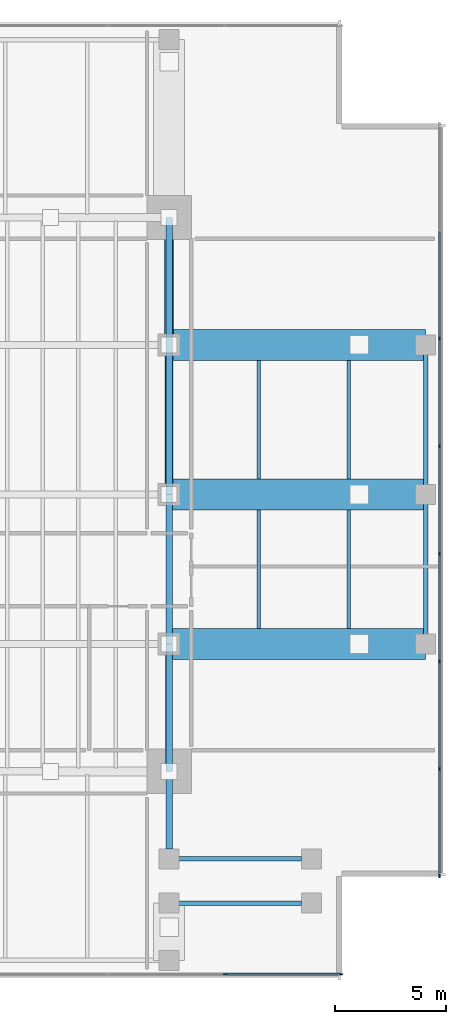
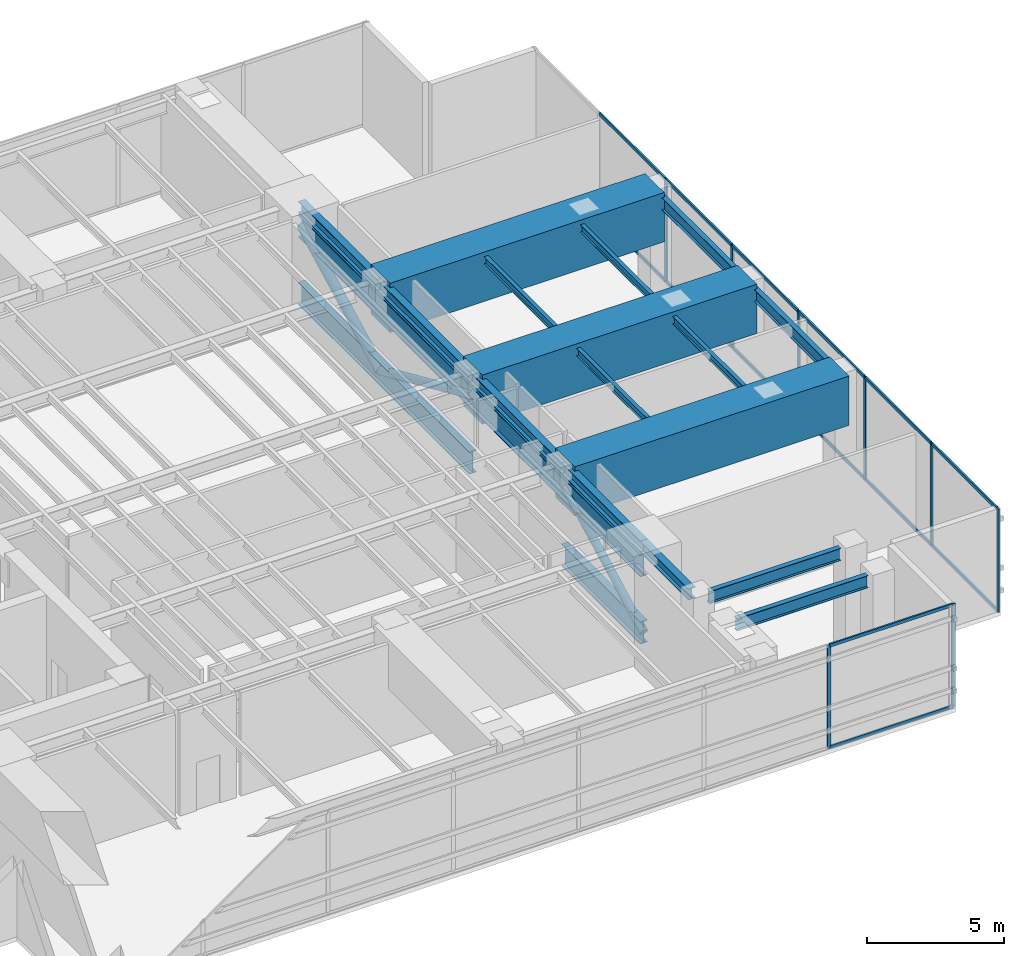
# One storey, part 4 of 14: 28 members, 16 beams, 2 elements without a shape of their own.
"""IFC4 building model written with IfcOpenShell, lengths in metres."""

from ifc_helpers import new_model, si_unit, direction, frame, origin, origin_2d, place, context, subcontext, project, spatial, rectangle, hollow_circle, i_section, extrude, material, layer, layer_set, material_profile, profile_set, type_object, element, aggregate, save


model = new_model("IFC4")

# Units and contexts
model_context = context("Model", 3, precision=1e-05, world=origin(), true_north=direction((0.0, 1.0)))
body_context = subcontext(model_context, "Body", "Model", "MODEL_VIEW")
ifc_project = project(units=[si_unit("LENGTHUNIT", "METRE"), si_unit("AREAUNIT", "SQUARE_METRE"), si_unit("VOLUMEUNIT", "CUBIC_METRE"), si_unit("PLANEANGLEUNIT", "RADIAN"), si_unit("MASSUNIT", "GRAM", prefix="KILO")], contexts=[model_context])

# Site, building, storey
site_placement = place(None, origin())
site = spatial("IfcSite", under=ifc_project, at=site_placement, CompositionType="ELEMENT")
building_placement = place(site_placement, origin())
building = spatial("IfcBuilding", under=site, at=building_placement, Name="Kinhvarn Gate Tower", CompositionType="ELEMENT")
storey_placement = place(building_placement, frame((0.0, 0.0, 173.25)))
storey = spatial("IfcBuildingStorey", under=building, at=storey_placement, Name="L46", CompositionType="ELEMENT", Elevation=173.25)

# Beams
ifc_material_1 = material(Name="Concrete C60/75", Category="concrete")
ifc_material_profile_1 = material_profile(ifc_material_1, rectangle(XDim=1.39990234375, YDim=2.199951171875, at=origin_2d()), Name="RC 1400x2200")
ifc_profile_set_1 = profile_set([ifc_material_profile_1], Name="Concrete C60/75")
beam_type_1 = type_object("IfcBeamType", Name="BM-TG-2200", PredefinedType="BEAM", material=ifc_profile_set_1)
for number, where, z_axis, x_axis, name in (
    (1, (38.199951171875, 18.5, 3.699951171875), (1.0, 0.0, 0.0), (0.0, 1.0, 0.0), "Setback Transfer Girder TG-02-L47-CE-1"),
    (2, (38.199951171875, 25.25, 3.699951171875), (1.0, 0.0, 0.0), (0.0, 1.0, 0.0), "Setback Transfer Girder TG-02-L47-CE-2"),
    (3, (38.199951171875, 32.0, 3.699951171875), (1.0, 0.0, 0.0), (0.0, 1.0, 0.0), "Setback Transfer Girder TG-02-L47-CE-3"),
):
    element("IfcBeam", number, at=place(storey_placement, frame(where, z_axis=z_axis, x_axis=x_axis)), inside=storey, type_object=beam_type_1, Name=name, PredefinedType="BEAM", context=body_context, shape_type="SweptSolid", body=[
        extrude(rectangle(XDim=1.39990234375, YDim=2.199951171875, at=origin_2d()), origin(), (0.0, 0.0, 1.0), 11.580078125),
    ])

# Curtain wall, members
ifc_material_2 = material(Name="Anodised aluminium AW-6063", Category="aluminium")
ifc_layer = layer(ifc_material_2, 0.179931640625)
ifc_layer_set = layer_set([ifc_layer], Name="Anodised aluminium AW-6063")
curtain_wall_type = type_object("IfcCurtainWallType", Name="CW-SYS-3", PredefinedType="NOTDEFINED", material=ifc_layer_set)
curtain_wall_1_placement = place(storey_placement, origin())
curtain_wall_1 = element("IfcCurtainWall", 4, at=curtain_wall_1_placement, inside=storey, type_object=curtain_wall_type, Name="Curtain Wall CW3 (L46)", PredefinedType="NOTDEFINED")
ifc_material_profile_2 = material_profile(ifc_material_2, rectangle(XDim=0.06494140625, YDim=0.159912109375, at=origin_2d()), Name="ALU 65x160")
ifc_profile_set_2 = profile_set([ifc_material_profile_2], Name="Anodised aluminium AW-6063")
member_type_1 = type_object("IfcMemberType", Name="CW-MUL-160", PredefinedType="MULLION", material=ifc_profile_set_2)
member_1_placement = place(storey_placement, frame((40.71435546875, 3.590087890625, 0.0), z_axis=(0.0, 0.0, 1.0), x_axis=(0.0, 1.0, 0.0)))
member_1 = element("IfcMember", 5, at=member_1_placement, type_object=member_type_1, Name="CW3 mullion 7", PredefinedType="MULLION", context=body_context, shape_type="SweptSolid", body=[
    extrude(rectangle(XDim=0.06494140625, YDim=0.159912109375, at=origin_2d()), origin(), (0.0, 0.0, 1.0), 4.60009765625),
])
member_2_placement = place(storey_placement, frame((45.967529296875, 3.590087890625, 0.0), z_axis=(0.0, 0.0, 1.0), x_axis=(0.0, 1.0, 0.0)))
member_2 = element("IfcMember", 6, at=member_2_placement, type_object=member_type_1, Name="CW3 mullion 8", PredefinedType="MULLION", context=body_context, shape_type="SweptSolid", body=[
    extrude(rectangle(XDim=0.06494140625, YDim=0.159912109375, at=origin_2d()), origin(), (0.0, 0.0, 1.0), 4.60009765625),
])

curtain_wall_2_placement = place(storey_placement, origin())
curtain_wall_2 = element("IfcCurtainWall", 7, at=curtain_wall_2_placement, inside=storey, type_object=curtain_wall_type, Name="Curtain Wall CW3 (L46)", PredefinedType="NOTDEFINED")
member_3_placement = place(storey_placement, frame((50.409912109375, 8.032470703125, 0.0), z_axis=(0.0, 0.0, 1.0), x_axis=(-1.0, 0.0, 0.0)))
member_3 = element("IfcMember", 8, at=member_3_placement, type_object=member_type_1, Name="CW3 mullion 1", PredefinedType="MULLION", context=body_context, shape_type="SweptSolid", body=[
    extrude(rectangle(XDim=0.06494140625, YDim=0.159912109375, at=origin_2d()), origin(), (0.0, 0.0, 1.0), 4.60009765625),
])
member_4_placement = place(storey_placement, frame((50.409912109375, 12.857177734375, 0.0), z_axis=(0.0, 0.0, 1.0), x_axis=(-1.0, 0.0, 0.0)))
member_4 = element("IfcMember", 9, at=member_4_placement, type_object=member_type_1, Name="CW3 mullion 2", PredefinedType="MULLION", context=body_context, shape_type="SweptSolid", body=[
    extrude(rectangle(XDim=0.06494140625, YDim=0.159912109375, at=origin_2d()), origin(), (0.0, 0.0, 1.0), 4.60009765625),
])
member_5_placement = place(storey_placement, frame((50.409912109375, 17.71435546875, 0.0), z_axis=(0.0, 0.0, 1.0), x_axis=(-1.0, 0.0, 0.0)))
member_5 = element("IfcMember", 10, at=member_5_placement, type_object=member_type_1, Name="CW3 mullion 3", PredefinedType="MULLION", context=body_context, shape_type="SweptSolid", body=[
    extrude(rectangle(XDim=0.06494140625, YDim=0.159912109375, at=origin_2d()), origin(), (0.0, 0.0, 1.0), 4.60009765625),
])
member_6_placement = place(storey_placement, frame((50.409912109375, 22.571533203125, 0.0), z_axis=(0.0, 0.0, 1.0), x_axis=(-1.0, 0.0, 0.0)))
member_6 = element("IfcMember", 11, at=member_6_placement, type_object=member_type_1, Name="CW3 mullion 4", PredefinedType="MULLION", context=body_context, shape_type="SweptSolid", body=[
    extrude(rectangle(XDim=0.06494140625, YDim=0.159912109375, at=origin_2d()), origin(), (0.0, 0.0, 1.0), 4.60009765625),
])
member_7_placement = place(storey_placement, frame((50.409912109375, 27.428466796875, 0.0), z_axis=(0.0, 0.0, 1.0), x_axis=(-1.0, 0.0, 0.0)))
member_7 = element("IfcMember", 12, at=member_7_placement, type_object=member_type_1, Name="CW3 mullion 5", PredefinedType="MULLION", context=body_context, shape_type="SweptSolid", body=[
    extrude(rectangle(XDim=0.06494140625, YDim=0.159912109375, at=origin_2d()), origin(), (0.0, 0.0, 1.0), 4.60009765625),
])
member_8_placement = place(storey_placement, frame((50.409912109375, 32.28564453125, 0.0), z_axis=(0.0, 0.0, 1.0), x_axis=(-1.0, 0.0, 0.0)))
member_8 = element("IfcMember", 13, at=member_8_placement, type_object=member_type_1, Name="CW3 mullion 6", PredefinedType="MULLION", context=body_context, shape_type="SweptSolid", body=[
    extrude(rectangle(XDim=0.06494140625, YDim=0.159912109375, at=origin_2d()), origin(), (0.0, 0.0, 1.0), 4.60009765625),
])

# Member
ifc_material_profile_3 = material_profile(ifc_material_2, rectangle(XDim=0.070068359375, YDim=0.139892578125, at=origin_2d()), Name="ALU 70x140")
ifc_profile_set_3 = profile_set([ifc_material_profile_3], Name="Anodised aluminium AW-6063")
member_type_2 = type_object("IfcMemberType", Name="CW-TRN-140", PredefinedType="USERDEFINED", material=ifc_profile_set_3)
member_9_placement = place(storey_placement, frame((40.746826171875, 3.590087890625, 0.034912109375), z_axis=(1.0, 0.0, 0.0), x_axis=(0.0, 1.0, 0.0)))
member_9 = element("IfcMember", 14, at=member_9_placement, type_object=member_type_2, Name="CW3 transom 7.1", ObjectType="TRANSOM", PredefinedType="USERDEFINED", context=body_context, shape_type="SweptSolid", body=[
    extrude(rectangle(XDim=0.070068359375, YDim=0.139892578125, at=origin_2d()), origin(), (0.0, 0.0, 1.0), 5.188232421875),
])

member_10_placement = place(storey_placement, frame((40.746826171875, 3.590087890625, 4.56494140625), z_axis=(1.0, 0.0, 0.0), x_axis=(0.0, 1.0, 0.0)))
member_10 = element("IfcMember", 15, at=member_10_placement, type_object=member_type_2, Name="CW3 transom 7.2", ObjectType="TRANSOM", PredefinedType="USERDEFINED", context=body_context, shape_type="SweptSolid", body=[
    extrude(rectangle(XDim=0.070068359375, YDim=0.139892578125, at=origin_2d()), origin(), (0.0, 0.0, 1.0), 5.188232421875),
])

aggregate(curtain_wall_1, [member_1, member_2, member_9, member_10])

member_11_placement = place(storey_placement, frame((50.409912109375, 8.06494140625, 0.034912109375), z_axis=(0.0, 1.0, 0.0), x_axis=(-1.0, 0.0, 0.0)))
member_11 = element("IfcMember", 16, at=member_11_placement, type_object=member_type_2, Name="CW3 transom 1.1", ObjectType="TRANSOM", PredefinedType="USERDEFINED", context=body_context, shape_type="SweptSolid", body=[
    extrude(rectangle(XDim=0.070068359375, YDim=0.139892578125, at=origin_2d()), origin(), (0.0, 0.0, 1.0), 4.759765625),
])

member_12_placement = place(storey_placement, frame((50.409912109375, 8.06494140625, 4.56494140625), z_axis=(0.0, 1.0, 0.0), x_axis=(-1.0, 0.0, 0.0)))
member_12 = element("IfcMember", 17, at=member_12_placement, type_object=member_type_2, Name="CW3 transom 1.2", ObjectType="TRANSOM", PredefinedType="USERDEFINED", context=body_context, shape_type="SweptSolid", body=[
    extrude(rectangle(XDim=0.070068359375, YDim=0.139892578125, at=origin_2d()), origin(), (0.0, 0.0, 1.0), 4.759765625),
])

member_13_placement = place(storey_placement, frame((50.409912109375, 12.8896484375, 0.034912109375), z_axis=(0.0, 1.0, 0.0), x_axis=(-1.0, 0.0, 0.0)))
member_13 = element("IfcMember", 18, at=member_13_placement, type_object=member_type_2, Name="CW3 transom 2.1", ObjectType="TRANSOM", PredefinedType="USERDEFINED", context=body_context, shape_type="SweptSolid", body=[
    extrude(rectangle(XDim=0.070068359375, YDim=0.139892578125, at=origin_2d()), origin(), (0.0, 0.0, 1.0), 4.792236328125),
])

member_14_placement = place(storey_placement, frame((50.409912109375, 12.8896484375, 4.56494140625), z_axis=(0.0, 1.0, 0.0), x_axis=(-1.0, 0.0, 0.0)))
member_14 = element("IfcMember", 19, at=member_14_placement, type_object=member_type_2, Name="CW3 transom 2.2", ObjectType="TRANSOM", PredefinedType="USERDEFINED", context=body_context, shape_type="SweptSolid", body=[
    extrude(rectangle(XDim=0.070068359375, YDim=0.139892578125, at=origin_2d()), origin(), (0.0, 0.0, 1.0), 4.792236328125),
])

member_15_placement = place(storey_placement, frame((50.409912109375, 17.746826171875, 0.034912109375), z_axis=(0.0, 1.0, 0.0), x_axis=(-1.0, 0.0, 0.0)))
member_15 = element("IfcMember", 20, at=member_15_placement, type_object=member_type_2, Name="CW3 transom 3.1", ObjectType="TRANSOM", PredefinedType="USERDEFINED", context=body_context, shape_type="SweptSolid", body=[
    extrude(rectangle(XDim=0.070068359375, YDim=0.139892578125, at=origin_2d()), origin(), (0.0, 0.0, 1.0), 4.7919921875),
])

member_16_placement = place(storey_placement, frame((50.409912109375, 17.746826171875, 4.56494140625), z_axis=(0.0, 1.0, 0.0), x_axis=(-1.0, 0.0, 0.0)))
member_16 = element("IfcMember", 21, at=member_16_placement, type_object=member_type_2, Name="CW3 transom 3.2", ObjectType="TRANSOM", PredefinedType="USERDEFINED", context=body_context, shape_type="SweptSolid", body=[
    extrude(rectangle(XDim=0.070068359375, YDim=0.139892578125, at=origin_2d()), origin(), (0.0, 0.0, 1.0), 4.7919921875),
])

member_17_placement = place(storey_placement, frame((50.409912109375, 22.60400390625, 0.034912109375), z_axis=(0.0, 1.0, 0.0), x_axis=(-1.0, 0.0, 0.0)))
member_17 = element("IfcMember", 22, at=member_17_placement, type_object=member_type_2, Name="CW3 transom 4.1", ObjectType="TRANSOM", PredefinedType="USERDEFINED", context=body_context, shape_type="SweptSolid", body=[
    extrude(rectangle(XDim=0.070068359375, YDim=0.139892578125, at=origin_2d()), origin(), (0.0, 0.0, 1.0), 4.7919921875),
])

member_18_placement = place(storey_placement, frame((50.409912109375, 22.60400390625, 4.56494140625), z_axis=(0.0, 1.0, 0.0), x_axis=(-1.0, 0.0, 0.0)))
member_18 = element("IfcMember", 23, at=member_18_placement, type_object=member_type_2, Name="CW3 transom 4.2", ObjectType="TRANSOM", PredefinedType="USERDEFINED", context=body_context, shape_type="SweptSolid", body=[
    extrude(rectangle(XDim=0.070068359375, YDim=0.139892578125, at=origin_2d()), origin(), (0.0, 0.0, 1.0), 4.7919921875),
])

member_19_placement = place(storey_placement, frame((50.409912109375, 27.461181640625, 0.034912109375), z_axis=(0.0, 1.0, 0.0), x_axis=(-1.0, 0.0, 0.0)))
member_19 = element("IfcMember", 24, at=member_19_placement, type_object=member_type_2, Name="CW3 transom 5.1", ObjectType="TRANSOM", PredefinedType="USERDEFINED", context=body_context, shape_type="SweptSolid", body=[
    extrude(rectangle(XDim=0.070068359375, YDim=0.139892578125, at=origin_2d()), origin(), (0.0, 0.0, 1.0), 4.7919921875),
])

member_20_placement = place(storey_placement, frame((50.409912109375, 27.461181640625, 4.56494140625), z_axis=(0.0, 1.0, 0.0), x_axis=(-1.0, 0.0, 0.0)))
member_20 = element("IfcMember", 25, at=member_20_placement, type_object=member_type_2, Name="CW3 transom 5.2", ObjectType="TRANSOM", PredefinedType="USERDEFINED", context=body_context, shape_type="SweptSolid", body=[
    extrude(rectangle(XDim=0.070068359375, YDim=0.139892578125, at=origin_2d()), origin(), (0.0, 0.0, 1.0), 4.7919921875),
])

member_21_placement = place(storey_placement, frame((50.409912109375, 32.318115234375, 0.034912109375), z_axis=(0.0, 1.0, 0.0), x_axis=(-1.0, 0.0, 0.0)))
member_21 = element("IfcMember", 26, at=member_21_placement, type_object=member_type_2, Name="CW3 transom 6.1", ObjectType="TRANSOM", PredefinedType="USERDEFINED", context=body_context, shape_type="SweptSolid", body=[
    extrude(rectangle(XDim=0.070068359375, YDim=0.139892578125, at=origin_2d()), origin(), (0.0, 0.0, 1.0), 4.792236328125),
])

member_22_placement = place(storey_placement, frame((50.409912109375, 32.318115234375, 4.56494140625), z_axis=(0.0, 1.0, 0.0), x_axis=(-1.0, 0.0, 0.0)))
member_22 = element("IfcMember", 27, at=member_22_placement, type_object=member_type_2, Name="CW3 transom 6.2", ObjectType="TRANSOM", PredefinedType="USERDEFINED", context=body_context, shape_type="SweptSolid", body=[
    extrude(rectangle(XDim=0.070068359375, YDim=0.139892578125, at=origin_2d()), origin(), (0.0, 0.0, 1.0), 4.792236328125),
])

aggregate(curtain_wall_2, [member_3, member_4, member_5, member_6, member_7, member_8, member_11, member_12, member_13, member_14, member_15, member_16, member_17, member_18, member_19, member_20, member_21, member_22])

# Members
ifc_material_3 = material(Name="Steel S355", Category="steel")
ifc_material_profile_4 = material_profile(ifc_material_3, hollow_circle(Radius=0.161865234375, WallThickness=0.01611328125, at=origin_2d()), Name="CHS 323.9x16")
ifc_profile_set_4 = profile_set([ifc_material_profile_4], Name="Steel S355")
member_type_3 = type_object("IfcMemberType", Name="MBR-CHS323_9x16", PredefinedType="BRACE", material=ifc_profile_set_4)
member_23_placement = place(storey_placement, frame((38.199951171875, 12.75, 0.5), z_axis=(0.0, 0.886584846165, 0.462566006695), x_axis=(-1.0, 0.0, 0.0)))
element("IfcMember", 28, at=member_23_placement, inside=storey, type_object=member_type_3, Name="Belt Truss Spine Diagonal BR-12 (CHS 323.9x16)", PredefinedType="BRACE", context=body_context, shape_type="SweptSolid", body=[
    extrude(hollow_circle(Radius=0.161865234375, WallThickness=0.01611328125, at=origin_2d()), origin(), (0.0, 0.0, 1.0), 6.485595703125),
])
ifc_material_profile_5 = material_profile(ifc_material_3, hollow_circle(Radius=0.177734375, WallThickness=0.01611328125, at=origin_2d()), Name="CHS 355.6x16")
ifc_profile_set_5 = profile_set([ifc_material_profile_5], Name="Steel S355")
member_type_4 = type_object("IfcMemberType", Name="MBR-CHS355_6x16", PredefinedType="STRUT", material=ifc_profile_set_5)
member_24_placement = place(storey_placement, frame((38.199951171875, 25.25, 3.5), z_axis=(0.0, 0.91381154862, -0.406138466053), x_axis=(-1.0, 0.0, 0.0)))
element("IfcMember", 29, at=member_24_placement, inside=storey, type_object=member_type_4, Name="Belt Truss Spine Diagonal SR-13 (CHS 355.6x16)", PredefinedType="STRUT", context=body_context, shape_type="SweptSolid", body=[
    extrude(hollow_circle(Radius=0.177734375, WallThickness=0.01611328125, at=origin_2d()), origin(), (0.0, 0.0, 1.0), 7.38671875),
])
ifc_material_profile_6 = material_profile(ifc_material_3, hollow_circle(Radius=0.203125, WallThickness=0.02001953125, at=origin_2d()), Name="CHS 406.4x20")
ifc_profile_set_6 = profile_set([ifc_material_profile_6], Name="Steel S355")
member_type_5 = type_object("IfcMemberType", Name="MBR-CHS406_4x20", PredefinedType="STRUT", material=ifc_profile_set_6)
member_25_placement = place(storey_placement, frame((38.199951171875, 32.0, 0.5), z_axis=(0.0, 0.886584846165, 0.462566006695), x_axis=(-1.0, 0.0, 0.0)))
element("IfcMember", 30, at=member_25_placement, inside=storey, type_object=member_type_5, Name="Belt Truss Spine Diagonal SR-14 (CHS 406.4x20)", PredefinedType="STRUT", context=body_context, shape_type="SweptSolid", body=[
    extrude(hollow_circle(Radius=0.203125, WallThickness=0.02001953125, at=origin_2d()), origin(), (0.0, 0.0, 1.0), 6.485595703125),
])
ifc_material_profile_7 = material_profile(ifc_material_3, i_section(OverallWidth=0.300048828125, OverallDepth=1.0, WebThickness=0.01904296875, FlangeThickness=0.035888671875, at=origin_2d()), Name="HEB 1000")
ifc_profile_set_7 = profile_set([ifc_material_profile_7], Name="Steel S355")
member_type_6 = type_object("IfcMemberType", Name="STL-HEB1000", PredefinedType="CHORD", material=ifc_profile_set_7)
member_26_placement = place(storey_placement, frame((38.199951171875, 12.75, 0.5), z_axis=(0.0, 1.0, 0.0), x_axis=(-1.0, 0.0, 0.0)))
element("IfcMember", 31, at=member_26_placement, inside=storey, type_object=member_type_6, Name="Outrigger Belt Chord BC-21 (L46 BLT-EA-BOT)", PredefinedType="CHORD", context=body_context, shape_type="SweptSolid", body=[
    extrude(i_section(OverallWidth=0.300048828125, OverallDepth=1.0, WebThickness=0.01904296875, FlangeThickness=0.035888671875, at=origin_2d()), origin(), (0.0, 0.0, 1.0), 5.75),
])
member_27_placement = place(storey_placement, frame((38.199951171875, 25.25, 0.5), z_axis=(0.0, 1.0, 0.0), x_axis=(-1.0, 0.0, 0.0)))
element("IfcMember", 32, at=member_27_placement, inside=storey, type_object=member_type_6, Name="Outrigger Belt Chord BC-21 (L46 BLT-EB-BOT)", PredefinedType="CHORD", context=body_context, shape_type="SweptSolid", body=[
    extrude(i_section(OverallWidth=0.300048828125, OverallDepth=1.0, WebThickness=0.01904296875, FlangeThickness=0.035888671875, at=origin_2d()), origin(), (0.0, 0.0, 1.0), 12.5),
])
member_28_placement = place(storey_placement, frame((38.199951171875, 12.75, 3.5), z_axis=(0.0, 1.0, 0.0), x_axis=(-1.0, 0.0, 0.0)))
element("IfcMember", 33, at=member_28_placement, inside=storey, type_object=member_type_6, Name="Outrigger Belt Chord BC-21 (L46 BLT-E-TOP)", PredefinedType="CHORD", context=body_context, shape_type="SweptSolid", body=[
    extrude(i_section(OverallWidth=0.300048828125, OverallDepth=1.0, WebThickness=0.01904296875, FlangeThickness=0.035888671875, at=origin_2d()), origin(), (0.0, 0.0, 1.0), 25.0),
])

# Beams
ifc_material_profile_8 = material_profile(ifc_material_3, i_section(OverallWidth=0.300048828125, OverallDepth=0.5, WebThickness=0.014404296875, FlangeThickness=0.028076171875, at=origin_2d()), Name="HEB 500")
ifc_profile_set_8 = profile_set([ifc_material_profile_8], Name="Steel S355")
beam_type_2 = type_object("IfcBeamType", Name="STL-HEB500", PredefinedType="BEAM", material=ifc_profile_set_8)
beam_1_placement = place(storey_placement, frame((38.199951171875, 9.235107421875, 4.35009765625), z_axis=(0.0, 1.0, 0.0), x_axis=(-1.0, 0.0, 0.0)))
element("IfcBeam", 34, at=beam_1_placement, inside=storey, type_object=beam_type_2, Name="Floor Beam PG-14 (L46 MCE-S-A2)", PredefinedType="BEAM", context=body_context, shape_type="SweptSolid", body=[
    extrude(i_section(OverallWidth=0.300048828125, OverallDepth=0.5, WebThickness=0.014404296875, FlangeThickness=0.028076171875, at=origin_2d()), origin(), (0.0, 0.0, 1.0), 3.514892578125),
])
beam_2_placement = place(storey_placement, frame((38.199951171875, 12.75, 4.35009765625), z_axis=(0.0, 1.0, 0.0), x_axis=(-1.0, 0.0, 0.0)))
element("IfcBeam", 35, at=beam_2_placement, inside=storey, type_object=beam_type_2, Name="Floor Beam PG-14 (L46 MG-E-12)", PredefinedType="BEAM", context=body_context, shape_type="SweptSolid", body=[
    extrude(i_section(OverallWidth=0.300048828125, OverallDepth=0.5, WebThickness=0.014404296875, FlangeThickness=0.028076171875, at=origin_2d()), origin(), (0.0, 0.0, 1.0), 5.75),
])
for number, where, z_axis, x_axis, name in (
    (36, (38.199951171875, 18.5, 4.35009765625), (0.0, 1.0, 0.0), (-1.0, 0.0, 0.0), "Floor Beam PG-14 (L46 MG-E-18)"),
    (37, (38.199951171875, 25.25, 4.35009765625), (0.0, 1.0, 0.0), (-1.0, 0.0, 0.0), "Floor Beam PG-14 (L46 MG-E-25)"),
):
    element("IfcBeam", number, at=place(storey_placement, frame(where, z_axis=z_axis, x_axis=x_axis)), inside=storey, type_object=beam_type_2, Name=name, PredefinedType="BEAM", context=body_context, shape_type="SweptSolid", body=[
        extrude(i_section(OverallWidth=0.300048828125, OverallDepth=0.5, WebThickness=0.014404296875, FlangeThickness=0.028076171875, at=origin_2d()), origin(), (0.0, 0.0, 1.0), 6.75),
    ])
beam_3_placement = place(storey_placement, frame((38.199951171875, 32.0, 4.35009765625), z_axis=(0.0, 1.0, 0.0), x_axis=(-1.0, 0.0, 0.0)))
element("IfcBeam", 38, at=beam_3_placement, inside=storey, type_object=beam_type_2, Name="Floor Beam PG-14 (L46 MG-E-32)", PredefinedType="BEAM", context=body_context, shape_type="SweptSolid", body=[
    extrude(i_section(OverallWidth=0.300048828125, OverallDepth=0.5, WebThickness=0.014404296875, FlangeThickness=0.028076171875, at=origin_2d()), origin(), (0.0, 0.0, 1.0), 5.75),
])
ifc_material_profile_9 = material_profile(ifc_material_3, i_section(OverallWidth=0.159912109375, OverallDepth=0.330078125, WebThickness=0.007568359375, FlangeThickness=0.011474609375, at=origin_2d()), Name="IPE 330")
ifc_profile_set_9 = profile_set([ifc_material_profile_9], Name="Steel S355")
beam_type_3 = type_object("IfcBeamType", Name="STL-IPE330", PredefinedType="JOIST", material=ifc_profile_set_9)
for number, where, z_axis, x_axis, name in (
    (39, (42.25, 19.199951171875, 4.43505859375), (0.0, 1.0, 0.0), (-1.0, 0.0, 0.0), "Floor Joist SB-03 (L46 JC-X422-1)"),
    (40, (42.25, 25.949951171875, 4.43505859375), (0.0, 1.0, 0.0), (-1.0, 0.0, 0.0), "Floor Joist SB-03 (L46 JC-X422-2)"),
    (41, (46.31005859375, 19.199951171875, 4.43505859375), (0.0, 1.0, 0.0), (-1.0, 0.0, 0.0), "Floor Joist SB-03 (L46 JC-X463-1)"),
    (42, (46.31005859375, 25.949951171875, 4.43505859375), (0.0, 1.0, 0.0), (-1.0, 0.0, 0.0), "Floor Joist SB-03 (L46 JC-X463-2)"),
):
    element("IfcBeam", number, at=place(storey_placement, frame(where, z_axis=z_axis, x_axis=x_axis)), inside=storey, type_object=beam_type_3, Name=name, PredefinedType="JOIST", context=body_context, shape_type="SweptSolid", body=[
        extrude(i_section(OverallWidth=0.159912109375, OverallDepth=0.330078125, WebThickness=0.007568359375, FlangeThickness=0.011474609375, at=origin_2d()), origin(), (0.0, 0.0, 1.0), 5.35009765625),
    ])
ifc_material_profile_10 = material_profile(ifc_material_3, i_section(OverallWidth=0.2099609375, OverallDepth=0.550048828125, WebThickness=0.010986328125, FlangeThickness=0.01708984375, at=origin_2d()), Name="IPE 550")
ifc_profile_set_10 = profile_set([ifc_material_profile_10], Name="Steel S355")
beam_type_4 = type_object("IfcBeamType", Name="STL-IPE550", PredefinedType="SPANDREL", material=ifc_profile_set_10)
for number, where, z_axis, x_axis, name in (
    (43, (38.635009765625, 8.800048828125, 4.324951171875), (1.0, 0.0, 0.0), (0.0, 1.0, 0.0), "Floor Spandrel SB-08 (L46 SP-SE2)"),
    (44, (38.635009765625, 6.800048828125, 4.324951171875), (1.0, 0.0, 0.0), (0.0, 1.0, 0.0), "Floor Spandrel SB-08 (L46 SP-SE2-S)"),
):
    element("IfcBeam", number, at=place(storey_placement, frame(where, z_axis=z_axis, x_axis=x_axis)), inside=storey, type_object=beam_type_4, Name=name, PredefinedType="SPANDREL", context=body_context, shape_type="SweptSolid", body=[
        extrude(i_section(OverallWidth=0.2099609375, OverallDepth=0.550048828125, WebThickness=0.010986328125, FlangeThickness=0.01708984375, at=origin_2d()), origin(), (0.0, 0.0, 1.0), 5.550048828125),
    ])
for number, where, z_axis, x_axis, name in (
    (45, (49.780029296875, 18.5, 4.324951171875), (0.0, 1.0, 0.0), (-1.0, 0.0, 0.0), "Floor Spandrel SB-08 (L46 SP-E2)"),
    (46, (49.780029296875, 25.25, 4.324951171875), (0.0, 1.0, 0.0), (-1.0, 0.0, 0.0), "Floor Spandrel SB-08 (L46 SP-E3)"),
):
    element("IfcBeam", number, at=place(storey_placement, frame(where, z_axis=z_axis, x_axis=x_axis)), inside=storey, type_object=beam_type_4, Name=name, PredefinedType="SPANDREL", context=body_context, shape_type="SweptSolid", body=[
        extrude(i_section(OverallWidth=0.2099609375, OverallDepth=0.550048828125, WebThickness=0.010986328125, FlangeThickness=0.01708984375, at=origin_2d()), origin(), (0.0, 0.0, 1.0), 6.75),
    ])

save(model, "model.ifc")
